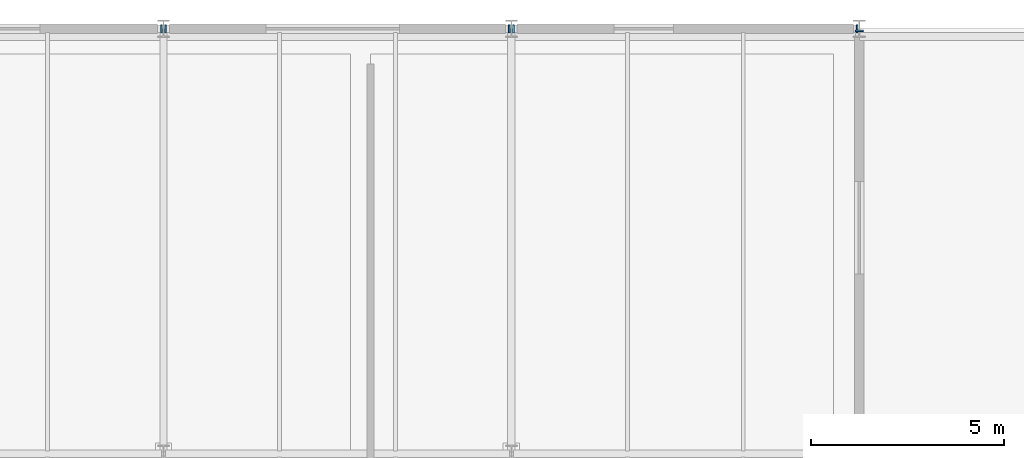
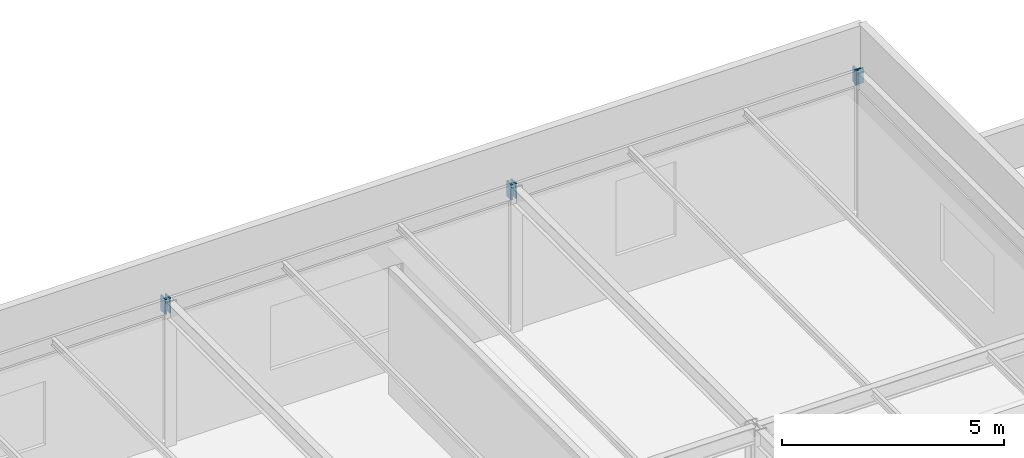
# One storey, part 13 of 14: 6 discrete accessories.
"""IFC4 building model written with IfcOpenShell, lengths in metres."""

from ifc_helpers import new_model, si_unit, direction, frame, origin, origin_2d, place, context, subcontext, project, spatial, rectangle, extrude, material, element, save


model = new_model("IFC4")

# Units and contexts
model_context = context("Model", 3, precision=1e-05, world=origin(), true_north=direction((0.0, 1.0)))
body_context = subcontext(model_context, "Body", "Model", "MODEL_VIEW")
ifc_project = project(units=[si_unit("LENGTHUNIT", "METRE"), si_unit("AREAUNIT", "SQUARE_METRE"), si_unit("VOLUMEUNIT", "CUBIC_METRE"), si_unit("PLANEANGLEUNIT", "RADIAN"), si_unit("MASSUNIT", "GRAM", prefix="KILO")], contexts=[model_context])

# Site, building, storey
site_placement = place(None, origin())
site = spatial("IfcSite", under=ifc_project, at=site_placement, CompositionType="ELEMENT")
building_placement = place(site_placement, origin())
building = spatial("IfcBuilding", under=site, at=building_placement, Name="Marlcrest Central Station", CompositionType="ELEMENT")
storey_placement = place(building_placement, frame((0.0, 0.0, 24.0)))
storey = spatial("IfcBuildingStorey", under=building, at=storey_placement, Name="L05", CompositionType="ELEMENT", Elevation=24.0)

# Discrete accessories
ifc_material = material(Name="Steel S355", Category="steel")
for number, where, z_axis, x_axis, name in (
    (1, (35.925048828125, 132.0, 3.780029296875), (1.0, 0.0, 0.0), (0.0, 1.0, 0.0), "endcap-bm-SP-01-L05-00690-e"),
    (2, (36.03515625, 132.0, 3.780029296875), (1.0, 0.0, 0.0), (0.0, 1.0, 0.0), "endcap-bm-SP-01-L05-00691-s"),
    (3, (44.925048828125, 132.0, 3.780029296875), (1.0, 0.0, 0.0), (0.0, 1.0, 0.0), "endcap-bm-SP-01-L05-00691-e"),
    (4, (45.03515625, 132.0, 3.780029296875), (1.0, 0.0, 0.0), (0.0, 1.0, 0.0), "endcap-bm-SP-01-L05-00692-s"),
    (5, (53.925048828125, 132.0, 3.780029296875), (1.0, 0.0, 0.0), (0.0, 1.0, 0.0), "endcap-bm-SP-01-L05-00692-e"),
    (6, (54.0, 131.925048828125, 3.780029296875), (0.0, 1.0, 0.0), (-1.0, 0.0, 0.0), "endcap-bm-SP-01-L05-00713-e"),
):
    element("IfcDiscreteAccessory", number, at=place(storey_placement, frame(where, z_axis=z_axis, x_axis=x_axis)), inside=storey, material=ifc_material, Name=name, ObjectType="END_CAP_PLATE", PredefinedType="BRACKET", context=body_context, shape_type="SweptSolid", body=[
        extrude(rectangle(XDim=0.216064453125, YDim=0.416015625, at=origin_2d()), origin(), (0.0, 0.0, 1.0), 0.0400390625),
    ])

save(model, "model.ifc")
